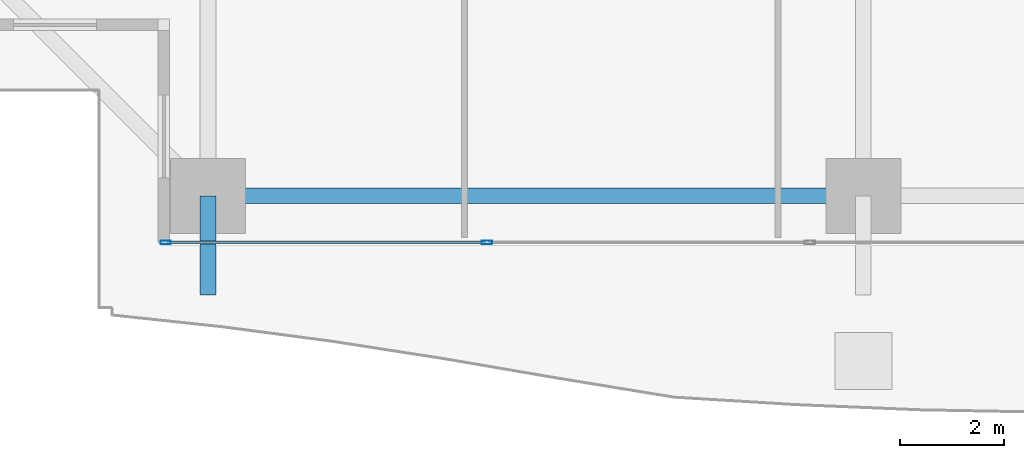
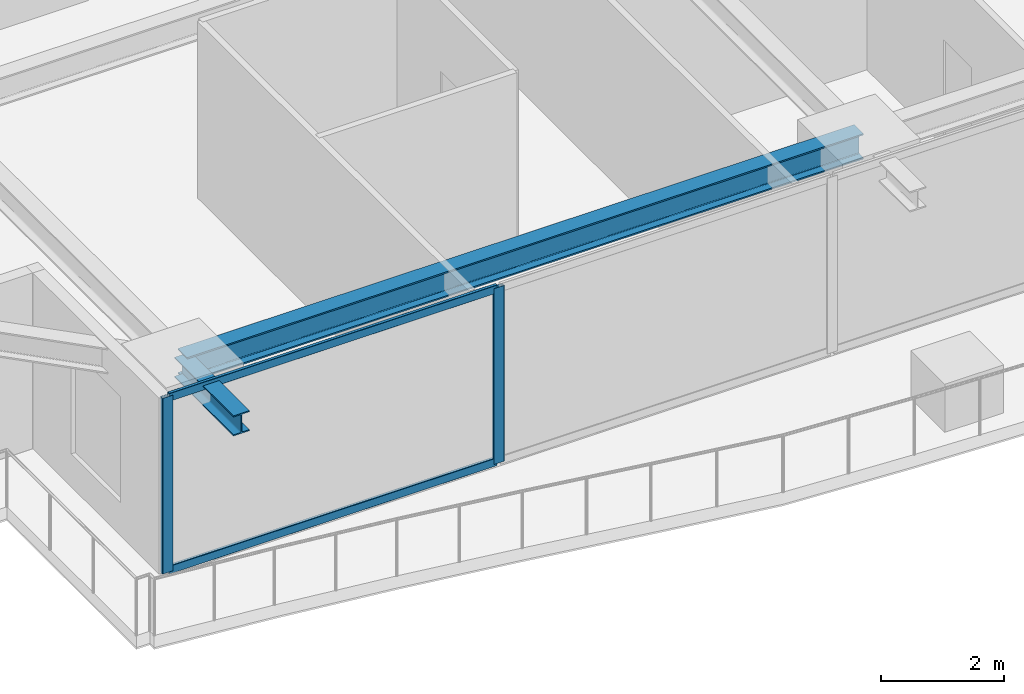
# One storey, part 2 of 39: 4 members, 2 beams, 1 element without a shape of its own.
"""IFC4 building model written with IfcOpenShell, lengths in metres."""

from ifc_helpers import new_model, si_unit, direction, frame, origin, origin_2d, place, context, subcontext, project, spatial, hollow_rectangle, i_section, extrude, source, transform, mapped, material, layer, layer_set, material_profile, profile_set, type_object, element, aggregate, save


model = new_model("IFC4")

# Units and contexts
model_context = context("Model", 3, precision=1e-05, world=origin(), true_north=direction((0.0, 1.0)))
body_context = subcontext(model_context, "Body", "Model", "MODEL_VIEW")
ifc_project = project(units=[si_unit("LENGTHUNIT", "METRE"), si_unit("AREAUNIT", "SQUARE_METRE"), si_unit("VOLUMEUNIT", "CUBIC_METRE"), si_unit("PLANEANGLEUNIT", "RADIAN"), si_unit("MASSUNIT", "GRAM", prefix="KILO")], contexts=[model_context])

# Site, building, storey
site_placement = place(None, origin())
site = spatial("IfcSite", under=ifc_project, at=site_placement, CompositionType="ELEMENT")
building_placement = place(site_placement, origin())
building = spatial("IfcBuilding", under=site, at=building_placement, Name="Serunith Strait Residences", CompositionType="ELEMENT")
storey_placement = place(building_placement, frame((0.0, 0.0, 94.199951171875)))
storey = spatial("IfcBuildingStorey", under=building, at=storey_placement, Name="L23", CompositionType="ELEMENT", Elevation=94.199951171875)

# Beams
ifc_material_1 = material(Name="Steel S355J2", Category="steel")
ifc_material_profile_1 = material_profile(ifc_material_1, i_section(OverallWidth=0.300048828125, OverallDepth=0.5, WebThickness=0.014404296875, FlangeThickness=0.028076171875, FilletRadius=0.027099609375, at=origin_2d()), Name="HEB 500")
ifc_profile_set_1 = profile_set([ifc_material_profile_1], Name="Steel S355J2")
beam_type_1 = type_object("IfcBeamType", Name="BM-HEB500", PredefinedType="BEAM", material=ifc_profile_set_1)
shared_shape_1 = source(origin(), body_context, "Body", "SweptSolid", [
    extrude(i_section(OverallWidth=0.300048828125, OverallDepth=0.5, WebThickness=0.014404296875, FlangeThickness=0.028076171875, FilletRadius=0.027099609375, at=origin_2d()), origin(), (0.0, 0.0, 1.0), 12.64990234375),
])
beam_1_placement = place(storey_placement, frame((15.25, 1.10009765625, 3.237060546875), z_axis=(1.0, 0.0, 0.0), x_axis=(0.0, 1.0, 0.0)))
element("IfcBeam", 1, at=beam_1_placement, inside=storey, type_object=beam_type_1, Name="L23 Perimeter Ring Beam 01", PredefinedType="BEAM", context=body_context, shape_type="MappedRepresentation", body=[
    mapped(shared_shape_1, transform((0.0, 0.0, 0.0), scale=1.0)),
])
ifc_material_profile_2 = material_profile(ifc_material_1, i_section(OverallWidth=0.300048828125, OverallDepth=0.39990234375, WebThickness=0.013427734375, FlangeThickness=0.02392578125, FilletRadius=0.027099609375, at=origin_2d()), Name="HEB 400")
ifc_profile_set_2 = profile_set([ifc_material_profile_2], Name="Steel S355J2")
beam_type_2 = type_object("IfcBeamType", Name="BM-HEB400", PredefinedType="BEAM", material=ifc_profile_set_2)
shared_shape_2 = source(origin(), body_context, "Body", "SweptSolid", [
    extrude(i_section(OverallWidth=0.300048828125, OverallDepth=0.39990234375, WebThickness=0.013427734375, FlangeThickness=0.02392578125, FilletRadius=0.027099609375, at=origin_2d()), origin(), (0.0, 0.0, 1.0), 1.91015625),
])
beam_2_placement = place(storey_placement, frame((15.25, 1.10009765625, 3.257080078125), z_axis=(0.0, -1.0, 0.0), x_axis=(1.0, 0.0, 0.0)))
element("IfcBeam", 2, at=beam_2_placement, inside=storey, type_object=beam_type_2, Name="L24 Cantilevered Balcony Rib TC-S1", PredefinedType="BEAM", context=body_context, shape_type="MappedRepresentation", body=[
    mapped(shared_shape_2, transform((0.0, 0.0, 0.0), scale=1.0)),
])

# Curtain wall, members
ifc_material_2 = material(Name="Pale-Champagne Anodised Aluminium", Category="aluminium")
ifc_layer = layer(ifc_material_2, 0.199951171875, Name="Pale-Champagne Anodised Aluminium")
ifc_layer_set = layer_set([ifc_layer], Name="Pale-Champagne Anodised Aluminium")
curtain_wall_type = type_object("IfcCurtainWallType", Name="CW-SYS1", PredefinedType="NOTDEFINED", material=ifc_layer_set)
curtain_wall_placement = place(storey_placement, origin())
curtain_wall = element("IfcCurtainWall", 3, at=curtain_wall_placement, inside=storey, type_object=curtain_wall_type, Name="L23 S Unitised Fritted Curtain Wall", PredefinedType="NOTDEFINED")
ifc_material_profile_3 = material_profile(ifc_material_2, hollow_rectangle(XDim=0.070068359375, YDim=0.199951171875, WallThickness=0.00390625, InnerFilletRadius=0.006103515625, OuterFilletRadius=0.010009765625, at=origin_2d()), Name="ALU 200x70x4")
ifc_profile_set_3 = profile_set([ifc_material_profile_3], Name="Pale-Champagne Anodised Aluminium")
member_type_1 = type_object("IfcMemberType", Name="CW-SYS1-MULL", PredefinedType="MULLION", material=ifc_profile_set_3)
shared_shape_3 = source(origin(), body_context, "Body", "SweptSolid", [
    extrude(hollow_rectangle(XDim=0.070068359375, YDim=0.199951171875, WallThickness=0.00390625, InnerFilletRadius=0.006103515625, OuterFilletRadius=0.010009765625, at=origin_2d()), origin(), (0.0, 0.0, 1.0), 3.47509765625),
])
member_1_placement = place(storey_placement, frame((14.43505859375, 0.199951171875, 0.0), z_axis=(0.0, 0.0, 1.0), x_axis=(0.0, 1.0, 0.0)))
member_1 = element("IfcMember", 4, at=member_1_placement, type_object=member_type_1, Name="CW-1 mullion 1", PredefinedType="MULLION", context=body_context, shape_type="MappedRepresentation", body=[
    mapped(shared_shape_3, transform((0.0, 0.0, 0.0), scale=1.0)),
])
member_2_placement = place(storey_placement, frame((20.63330078125, 0.199951171875, 0.0), z_axis=(0.0, 0.0, 1.0), x_axis=(0.0, 1.0, 0.0)))
member_2 = element("IfcMember", 5, at=member_2_placement, type_object=member_type_1, Name="CW-1 mullion 2", PredefinedType="MULLION", context=body_context, shape_type="MappedRepresentation", body=[
    mapped(shared_shape_3, transform((0.0, 0.0, 0.0), scale=1.0)),
])
ifc_material_profile_4 = material_profile(ifc_material_2, hollow_rectangle(XDim=0.06005859375, YDim=0.159912109375, WallThickness=0.00341796875, InnerFilletRadius=0.00537109375, OuterFilletRadius=0.0087890625, at=origin_2d()), Name="ALU 160x60x3.5")
ifc_profile_set_4 = profile_set([ifc_material_profile_4], Name="Pale-Champagne Anodised Aluminium")
member_type_2 = type_object("IfcMemberType", Name="CW-SYS1-TRAN", PredefinedType="USERDEFINED", material=ifc_profile_set_4)
shared_shape_4 = source(origin(), body_context, "Body", "SweptSolid", [
    extrude(hollow_rectangle(XDim=0.06005859375, YDim=0.159912109375, WallThickness=0.00341796875, InnerFilletRadius=0.00537109375, OuterFilletRadius=0.0087890625, at=origin_2d()), origin(), (0.0, 0.0, 1.0), 6.12841796875),
])
member_3_placement = place(storey_placement, frame((14.469970703125, 0.199951171875, 0.030029296875), z_axis=(1.0, 0.0, 0.0), x_axis=(0.0, 1.0, 0.0)))
member_3 = element("IfcMember", 6, at=member_3_placement, type_object=member_type_2, Name="CW-1 transom 1.1", ObjectType="TRANSOM", PredefinedType="USERDEFINED", context=body_context, shape_type="MappedRepresentation", body=[
    mapped(shared_shape_4, transform((0.0, 0.0, 0.0), scale=1.0)),
])
member_4_placement = place(storey_placement, frame((14.469970703125, 0.199951171875, 3.445068359375), z_axis=(1.0, 0.0, 0.0), x_axis=(0.0, 1.0, 0.0)))
member_4 = element("IfcMember", 7, at=member_4_placement, type_object=member_type_2, Name="CW-1 transom 1.2", ObjectType="TRANSOM", PredefinedType="USERDEFINED", context=body_context, shape_type="MappedRepresentation", body=[
    mapped(shared_shape_4, transform((0.0, 0.0, 0.0), scale=1.0)),
])
aggregate(curtain_wall, [member_1, member_2, member_3, member_4])

save(model, "model.ifc")
